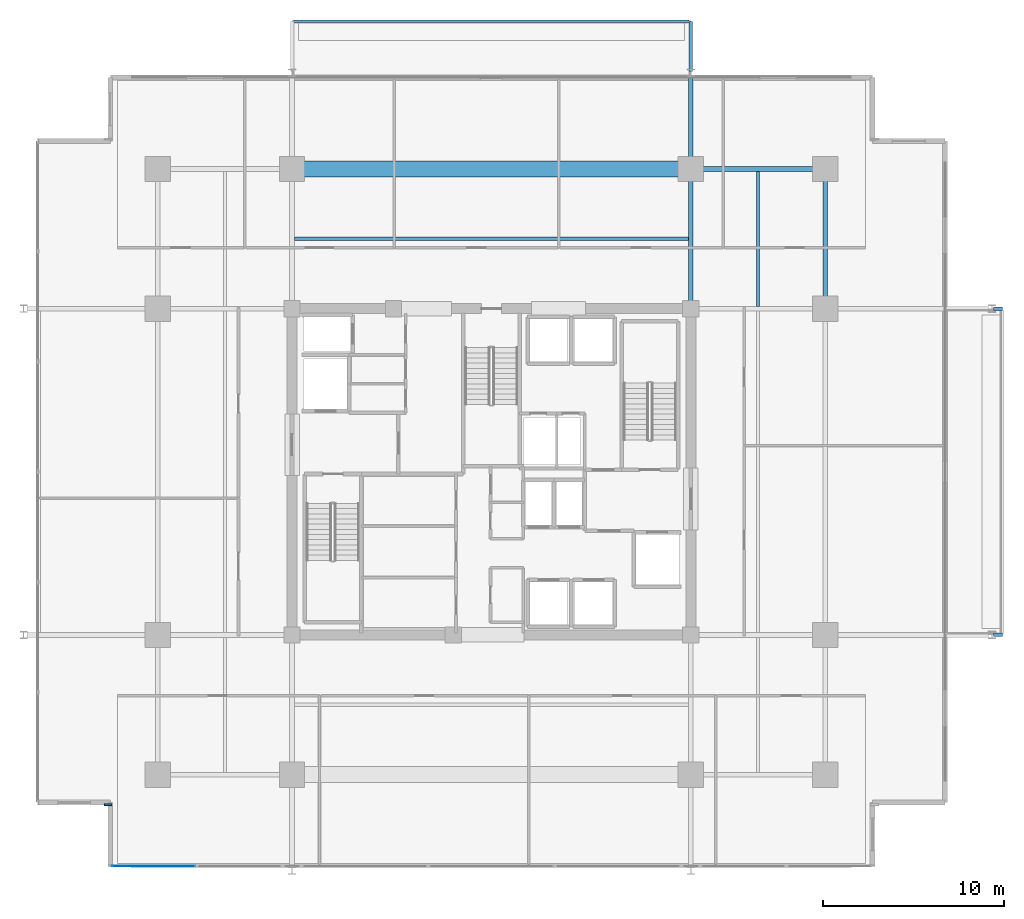
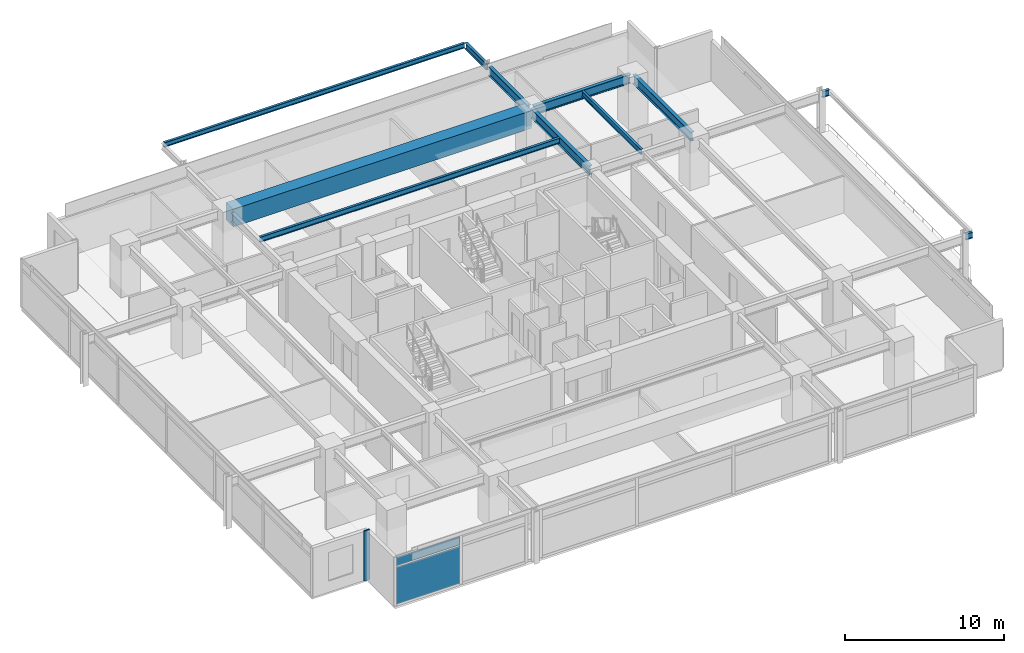
# One storey, part 12 of 21: 11 beams, 3 plates, 1 element without a shape of its own.
"""IFC4 building model written with IfcOpenShell, lengths in metres."""

from ifc_helpers import new_model, si_unit, direction, frame, origin, origin_2d, place, context, subcontext, project, spatial, rectangle, i_section, extrude, material, layer, layer_set, material_profile, profile_set, type_object, element, aggregate, save


model = new_model("IFC4")

# Units and contexts
model_context = context("Model", 3, precision=1e-05, world=origin(), true_north=direction((0.0, 1.0)))
body_context = subcontext(model_context, "Body", "Model", "MODEL_VIEW")
ifc_project = project(units=[si_unit("LENGTHUNIT", "METRE"), si_unit("AREAUNIT", "SQUARE_METRE"), si_unit("VOLUMEUNIT", "CUBIC_METRE"), si_unit("PLANEANGLEUNIT", "RADIAN"), si_unit("MASSUNIT", "GRAM", prefix="KILO")], contexts=[model_context])

# Site, building, storey
site_placement = place(None, origin())
site = spatial("IfcSite", under=ifc_project, at=site_placement, CompositionType="ELEMENT")
building_placement = place(site_placement, origin())
building = spatial("IfcBuilding", under=site, at=building_placement, Name="Kovane Verandah Tower", CompositionType="ELEMENT")
storey_placement = place(building_placement, frame((0.0, 0.0, 209.199951171875)))
storey = spatial("IfcBuildingStorey", under=building, at=storey_placement, Name="L48", CompositionType="ELEMENT", Elevation=209.199951171875)

# Beams
ifc_material_1 = material(Name="Concrete C80/95", Category="concrete")
ifc_material_profile_1 = material_profile(ifc_material_1, rectangle(XDim=0.89990234375, YDim=1.35009765625, at=origin_2d()), Name="RCB900x1350")
ifc_profile_set_1 = profile_set([ifc_material_profile_1], Name="Concrete C80/95")
beam_type_1 = type_object("IfcBeamType", Name="BM-TR-900x1350", PredefinedType="BEAM", material=ifc_profile_set_1)
beam_1_placement = place(storey_placement, frame((29.179931640625, 44.199951171875, 3.10009765625), z_axis=(1.0, 0.0, 0.0), x_axis=(0.0, 1.0, 0.0)))
element("IfcBeam", 1, at=beam_1_placement, inside=storey, type_object=beam_type_1, Name="L48 Primary Tower Girder G-RN2", PredefinedType="BEAM", context=body_context, shape_type="SweptSolid", body=[
    extrude(rectangle(XDim=0.89990234375, YDim=1.35009765625, at=origin_2d()), origin(), (0.0, 0.0, 1.0), 21.64013671875),
])
ifc_material_2 = material(Name="Steel S355", Category="steel")
ifc_material_profile_2 = material_profile(ifc_material_2, i_section(OverallWidth=0.255859375, OverallDepth=0.69287109375, WebThickness=0.014404296875, FlangeThickness=0.023681640625, FilletRadius=0.01513671875, at=origin_2d()), Name="UB686x254x170")
ifc_profile_set_2 = profile_set([ifc_material_profile_2], Name="Steel S355")
beam_type_2 = type_object("IfcBeamType", Name="BM-UB686x170", PredefinedType="BEAM", material=ifc_profile_set_2)
beam_2_placement = place(storey_placement, frame((51.179931640625, 44.199951171875, 3.428466796875), z_axis=(1.0, 0.0, 0.0), x_axis=(0.0, 1.0, 0.0)))
element("IfcBeam", 2, at=beam_2_placement, inside=storey, type_object=beam_type_2, Name="L48 Primary Tower Girder G-RN3", PredefinedType="BEAM", context=body_context, shape_type="SweptSolid", body=[
    extrude(i_section(OverallWidth=0.255859375, OverallDepth=0.69287109375, WebThickness=0.014404296875, FlangeThickness=0.023681640625, FilletRadius=0.01513671875, at=origin_2d()), origin(), (0.0, 0.0, 1.0), 7.0400390625),
])
for number, where, z_axis, x_axis, name in (
    (3, (58.39990234375, 36.679931640625, 3.428466796875), (0.0, 1.0, 0.0), (-1.0, 0.0, 0.0), "L48 Primary Tower Girder G-RE3"),
    (4, (51.0, 36.679931640625, 3.428466796875), (0.0, 1.0, 0.0), (-1.0, 0.0, 0.0), "L48 Primary Tower Girder G-N2"),
):
    element("IfcBeam", number, at=place(storey_placement, frame(where, z_axis=z_axis, x_axis=x_axis)), inside=storey, type_object=beam_type_2, Name=name, PredefinedType="BEAM", context=body_context, shape_type="SweptSolid", body=[
        extrude(i_section(OverallWidth=0.255859375, OverallDepth=0.69287109375, WebThickness=0.014404296875, FlangeThickness=0.023681640625, FilletRadius=0.01513671875, at=origin_2d()), origin(), (0.0, 0.0, 1.0), 7.340087890625),
    ])
beam_3_placement = place(storey_placement, frame((51.0, 44.3798828125, 3.41357421875), z_axis=(0.0, 1.0, 0.0), x_axis=(-1.0, 0.0, 0.0)))
element("IfcBeam", 5, at=beam_3_placement, inside=storey, type_object=beam_type_2, Name="L48 Primary Tower Girder G-VN2", PredefinedType="BEAM", context=body_context, shape_type="SweptSolid", body=[
    extrude(i_section(OverallWidth=0.255859375, OverallDepth=0.69287109375, WebThickness=0.014404296875, FlangeThickness=0.023681640625, FilletRadius=0.01513671875, at=origin_2d()), origin(), (0.0, 0.0, 1.0), 4.940185546875),
])
ifc_material_profile_3 = material_profile(ifc_material_2, i_section(OverallWidth=0.179443359375, OverallDepth=0.412841796875, WebThickness=0.009521484375, FlangeThickness=0.01611328125, FilletRadius=0.01025390625, at=origin_2d()), Name="UB406x178x74")
ifc_profile_set_3 = profile_set([ifc_material_profile_3], Name="Steel S355")
beam_type_3 = type_object("IfcBeamType", Name="JST-UB406x74", PredefinedType="JOIST", material=ifc_profile_set_3)
beam_4_placement = place(storey_placement, frame((29.1259765625, 40.35009765625, 3.568603515625), z_axis=(1.0, 0.0, 0.0), x_axis=(0.0, 1.0, 0.0)))
element("IfcBeam", 6, at=beam_4_placement, inside=storey, type_object=beam_type_3, Name="L48 Secondary Composite Joist J-N1", PredefinedType="JOIST", context=body_context, shape_type="SweptSolid", body=[
    extrude(i_section(OverallWidth=0.179443359375, OverallDepth=0.412841796875, WebThickness=0.009521484375, FlangeThickness=0.01611328125, FilletRadius=0.01025390625, at=origin_2d()), origin(), (0.0, 0.0, 1.0), 21.748046875),
])
beam_5_placement = place(storey_placement, frame((54.699951171875, 36.6259765625, 3.568603515625), z_axis=(0.0, 1.0, 0.0), x_axis=(-1.0, 0.0, 0.0)))
element("IfcBeam", 7, at=beam_5_placement, inside=storey, type_object=beam_type_3, Name="L48 Secondary Composite Joist J-NE1", PredefinedType="JOIST", context=body_context, shape_type="SweptSolid", body=[
    extrude(i_section(OverallWidth=0.179443359375, OverallDepth=0.412841796875, WebThickness=0.009521484375, FlangeThickness=0.01611328125, FilletRadius=0.01025390625, at=origin_2d()), origin(), (0.0, 0.0, 1.0), 7.4482421875),
])
ifc_material_profile_4 = material_profile(ifc_material_2, i_section(OverallWidth=0.19287109375, OverallDepth=0.46728515625, WebThickness=0.011474609375, FlangeThickness=0.01953125, FilletRadius=0.01025390625, at=origin_2d()), Name="UB457x191x98")
ifc_profile_set_4 = profile_set([ifc_material_profile_4], Name="Steel S355")
beam_type_4 = type_object("IfcBeamType", Name="JST-UB457x98", PredefinedType="JOIST", material=ifc_profile_set_4)
beam_6_placement = place(storey_placement, frame((51.0, 49.580078125, 3.5263671875), z_axis=(0.0, 1.0, 0.0), x_axis=(-1.0, 0.0, 0.0)))
element("IfcBeam", 8, at=beam_6_placement, inside=storey, type_object=beam_type_4, Name="L48 North Planter Girder 2", PredefinedType="JOIST", context=body_context, shape_type="SweptSolid", body=[
    extrude(i_section(OverallWidth=0.19287109375, OverallDepth=0.46728515625, WebThickness=0.011474609375, FlangeThickness=0.01953125, FilletRadius=0.01025390625, at=origin_2d()), origin(), (0.0, 0.0, 1.0), 2.75048828125),
])
for number, where, z_axis, x_axis, name in (
    (9, (67.679931640625, 18.5, 3.5263671875), (1.0, 0.0, 0.0), (0.0, 1.0, 0.0), "L48 East Planter Girder 1"),
    (10, (67.679931640625, 36.5, 3.5263671875), (1.0, 0.0, 0.0), (0.0, 1.0, 0.0), "L48 East Planter Girder 2"),
):
    element("IfcBeam", number, at=place(storey_placement, frame(where, z_axis=z_axis, x_axis=x_axis)), inside=storey, type_object=beam_type_4, Name=name, PredefinedType="JOIST", context=body_context, shape_type="SweptSolid", body=[
        extrude(i_section(OverallWidth=0.19287109375, OverallDepth=0.46728515625, WebThickness=0.011474609375, FlangeThickness=0.01953125, FilletRadius=0.01025390625, at=origin_2d()), origin(), (0.0, 0.0, 1.0), 0.501708984375),
    ])
ifc_material_profile_5 = material_profile(ifc_material_2, i_section(OverallWidth=0.173095703125, OverallDepth=0.36328125, WebThickness=0.009033203125, FlangeThickness=0.015625, FilletRadius=0.01025390625, at=origin_2d()), Name="UB356x171x67")
ifc_profile_set_5 = profile_set([ifc_material_profile_5], Name="Steel S355")
beam_type_5 = type_object("IfcBeamType", Name="SPD-UB356x67", PredefinedType="USERDEFINED", material=ifc_profile_set_5)
beam_7_placement = place(storey_placement, frame((29.094482421875, 52.33056640625, 3.578369140625), z_axis=(1.0, 0.0, 0.0), x_axis=(0.0, 1.0, 0.0)))
element("IfcBeam", 11, at=beam_7_placement, inside=storey, type_object=beam_type_5, Name="L48 North Planter Edge Spandrel", ObjectType="SPANDREL", PredefinedType="USERDEFINED", context=body_context, shape_type="SweptSolid", body=[
    extrude(i_section(OverallWidth=0.173095703125, OverallDepth=0.36328125, WebThickness=0.009033203125, FlangeThickness=0.015625, FilletRadius=0.01025390625, at=origin_2d()), origin(), (0.0, 0.0, 1.0), 21.81103515625),
])

# Curtain wall, plates
ifc_material_3 = material(Name="Champagne Anodised Aluminium Frame with Low-E Clear Laminated Glass", Category="aluminium")
curtain_wall_type = type_object("IfcCurtainWallType", Name="CW-SYS-03-MID", PredefinedType="NOTDEFINED", material=ifc_material_3)
curtain_wall_placement = place(storey_placement, origin())
curtain_wall = element("IfcCurtainWall", 12, at=curtain_wall_placement, inside=storey, type_object=curtain_wall_type, Name="L48 S Unitised Curtain Wall-1", PredefinedType="NOTDEFINED")
ifc_material_4 = material(Name="Pale Champagne Anodised Aluminium Insulated Spandrel", Category="aluminium")
ifc_layer_1 = layer(ifc_material_4, 0.0400390625)
ifc_layer_set_1 = layer_set([ifc_layer_1], Name="Pale Champagne Anodised Aluminium Insulated Spandrel")
plate_type_1 = type_object("IfcPlateType", Name="PL-CW-SPD-40", PredefinedType="SHEET", material=ifc_layer_set_1)
plate_1_placement = place(storey_placement, frame((21.356689453125, 5.75830078125, 3.044921875), z_axis=(0.0, 0.0, 1.0), x_axis=(1.0, 0.0, 0.0)))
plate_1 = element("IfcPlate", 13, at=plate_1_placement, type_object=plate_type_1, Name="L48 S Unitised Curtain Wall-1 Spandrel Panel 1", PredefinedType="SHEET", context=body_context, shape_type="SweptSolid", body=[
    extrude(rectangle(XDim=4.60888671875, YDim=0.0400390625, at=origin_2d()), origin(), (0.0, 0.0, 1.0), 0.639892578125),
])
ifc_material_5 = material(Name="Clear Low-E Laminated Double Glazing", Category="glass")
ifc_layer_2 = layer(ifc_material_5, 0.031982421875)
ifc_layer_set_2 = layer_set([ifc_layer_2], Name="Clear Low-E Laminated Double Glazing")
plate_type_2 = type_object("IfcPlateType", Name="PL-CW-VIS-32", PredefinedType="CURTAIN_PANEL", material=ifc_layer_set_2)
plate_2_placement = place(storey_placement, frame((21.356689453125, 5.75830078125, 0.10009765625), z_axis=(0.0, 0.0, 1.0), x_axis=(1.0, 0.0, 0.0)))
plate_2 = element("IfcPlate", 14, at=plate_2_placement, type_object=plate_type_2, Name="L48 S Unitised Curtain Wall-1 Vision Panel 1", PredefinedType="CURTAIN_PANEL", context=body_context, shape_type="SweptSolid", body=[
    extrude(rectangle(XDim=4.60888671875, YDim=0.031982421875, at=origin_2d()), origin(), (0.0, 0.0, 1.0), 2.844970703125),
])
aggregate(curtain_wall, [plate_2, plate_1])

# Plate
ifc_material_6 = material(Name="Timber-Toned Subtropical Aluminium Vertical Blade", Category="wood")
ifc_layer_3 = layer(ifc_material_6, 0.090087890625)
ifc_layer_set_3 = layer_set([ifc_layer_3], Name="Timber-Toned Subtropical Aluminium Vertical Blade")
plate_type_3 = type_object("IfcPlateType", Name="PL-FIN-90", PredefinedType="USERDEFINED", material=ifc_layer_set_3)
plate_3_placement = place(storey_placement, frame((18.862060546875, 9.138427734375, -0.02001953125), z_axis=(0.0, 0.0, 1.0), x_axis=(1.0, 0.0, 0.0)))
element("IfcPlate", 15, at=plate_3_placement, inside=storey, type_object=plate_type_3, Name="L48 SW Timber-Toned Vertical Corner Fin", ObjectType="FIN", PredefinedType="USERDEFINED", context=body_context, shape_type="SweptSolid", body=[
    extrude(rectangle(XDim=0.419921875, YDim=0.090087890625, at=origin_2d()), origin(), (0.0, 0.0, 1.0), 3.8349609375),
])

save(model, "model.ifc")
